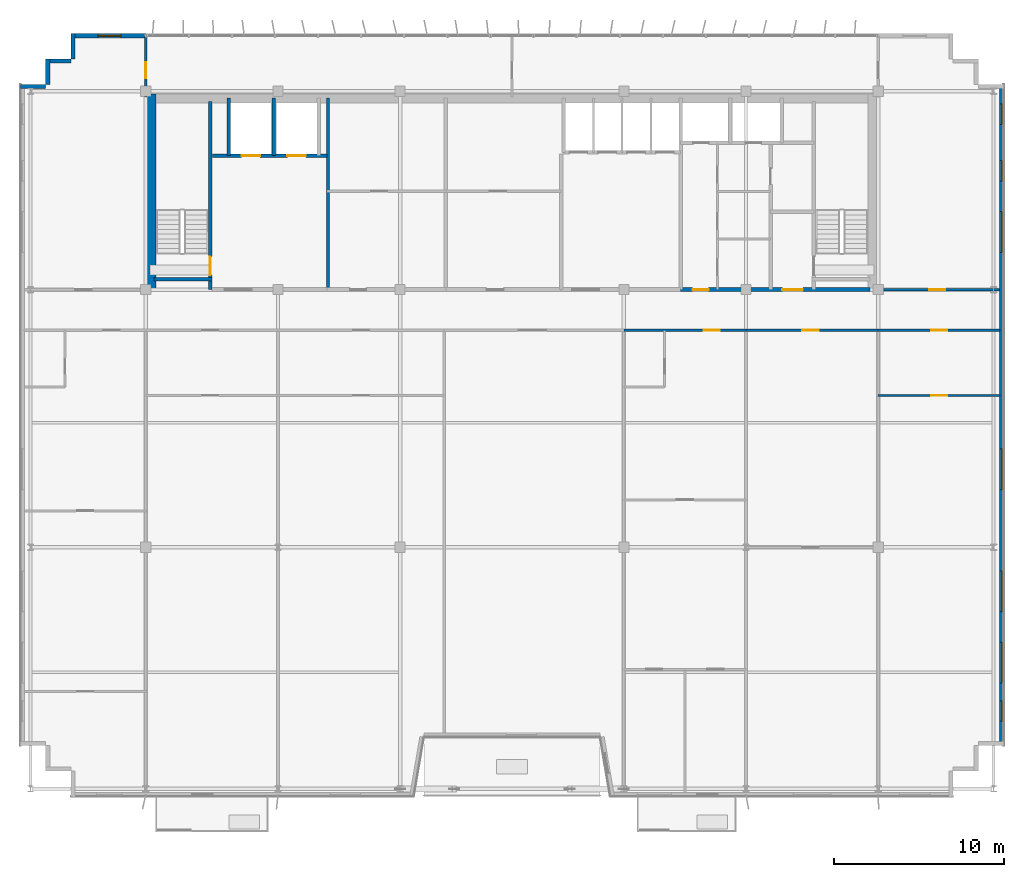
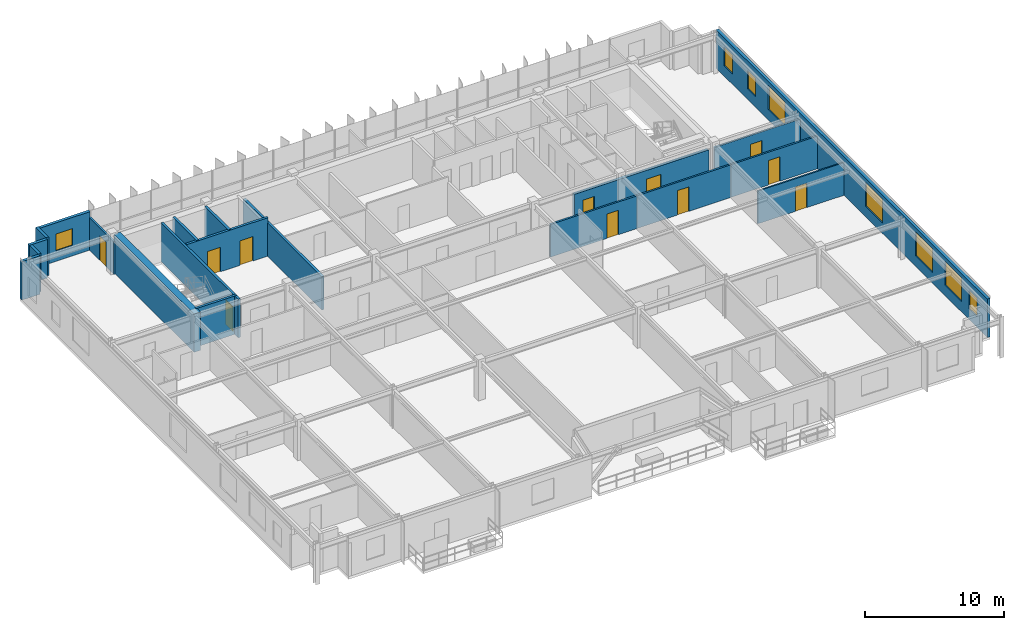
# One storey, part 18 of 22: 20 walls, 11 doors, 8 windows, 19 openings.
"""IFC4 building model written with IfcOpenShell, lengths in metres."""

from ifc_helpers import new_model, si_unit, direction, frame, frame_2d, origin, place, context, subcontext, project, spatial, rectangle, extrude, source, transform, mapped, material, layer, layer_set, type_object, element, fill, save


model = new_model("IFC4")

# Units and contexts
model_context = context("Model", 3, precision=1e-05, world=origin(), true_north=direction((0.0, 1.0)))
body_context = subcontext(model_context, "Body", "Model", "MODEL_VIEW")
ifc_project = project(units=[si_unit("LENGTHUNIT", "METRE"), si_unit("AREAUNIT", "SQUARE_METRE"), si_unit("VOLUMEUNIT", "CUBIC_METRE"), si_unit("PLANEANGLEUNIT", "RADIAN"), si_unit("MASSUNIT", "GRAM", prefix="KILO")], contexts=[model_context])

# Site, building, storey
site_placement = place(None, origin())
site = spatial("IfcSite", under=ifc_project, at=site_placement, CompositionType="ELEMENT")
building_placement = place(site_placement, origin())
building = spatial("IfcBuilding", under=site, at=building_placement, Name="Trelvane Seafront Commons", CompositionType="ELEMENT")
storey_placement = place(building_placement, frame((0.0, 0.0, 288.300048828125)))
storey = spatial("IfcBuildingStorey", under=building, at=storey_placement, Name="L75", CompositionType="ELEMENT", Elevation=288.300048828125)

# Wall, opening, window
ifc_material_1 = material(Name="Precast concrete C40/50", Category="concrete")
ifc_layer_1 = layer(ifc_material_1, 0.239990234375, Name="ARCH-WALL-EXT240")
ifc_layer_set_1 = layer_set([ifc_layer_1], Name="Precast concrete C40/50")
wall_type_1 = type_object("IfcWallType", Name="ARCH-WALL-EXT240", PredefinedType="SOLIDWALL", material=ifc_layer_set_1)
wall_1_placement = place(storey_placement, frame((11.300048828125, 48.3701171875, 0.0), z_axis=(0.0, 0.0, 1.0), x_axis=(1.0, 0.0, 0.0)))
wall_1 = element("IfcWall", 1, at=wall_1_placement, inside=storey, type_object=wall_type_1, Name="EW-L75-NW-1508", PredefinedType="SOLIDWALL", context=body_context, shape_type="SweptSolid", body=[
    extrude(rectangle(XDim=4.300048828125, YDim=0.239990234375, at=frame_2d((2.14990234375, 0.0))), origin(), (0.0, 0.0, 1.0), 3.369873046875),
])
opening_1_placement = place(wall_1_placement, frame((1.47509765625, 0.0, 0.89990234375)))
opening_1 = element("IfcOpeningElement", 2, at=opening_1_placement, cuts=wall_1, Name="Opening W09", PredefinedType="OPENING", context=body_context, shape_type="SweptSolid", body=[
    extrude(rectangle(XDim=1.35009765625, YDim=1.5, at=frame_2d((0.675048828125, 0.75))), frame((0.0, 0.1298828125, 0.0), z_axis=(0.0, -1.0, 0.0), x_axis=(1.0, 0.0, 0.0)), (0.0, 0.0, 1.0), 0.260009765625),
])
ifc_material_2 = material(Name="Low-E coastal double glazing", Category="glass")
window_type_1 = type_object("IfcWindowType", Name="ARCH-WIN-W09", PartitioningType="SINGLE_PANEL", PredefinedType="WINDOW", material=ifc_material_2)
shared_shape_1 = source(origin(), body_context, "Body", "SweptSolid", [
    extrude(rectangle(XDim=1.35009765625, YDim=1.5, at=frame_2d((0.675048828125, 0.75))), frame((0.0, 0.030029296875, 0.0), z_axis=(0.0, -1.0, 0.0), x_axis=(1.0, 0.0, 0.0)), (0.0, 0.0, 1.0), 0.06005859375),
])
window_1_placement = place(opening_1_placement, origin())
window_1 = element("IfcWindow", 3, at=window_1_placement, inside=storey, type_object=window_type_1, Name="WIN-L75-01795", OverallHeight=1.5, OverallWidth=1.35009765625, PartitioningType="SINGLE_PANEL", PredefinedType="WINDOW", context=body_context, shape_type="MappedRepresentation", body=[
    mapped(shared_shape_1, transform((0.0, 0.0, 0.0), x_axis=(1.0, 0.0, 0.0), y_axis=(0.0, 1.0, 0.0), z_axis=(0.0, 0.0, 1.0), scale=1.0)),
])
fill(opening_1, window_1)

# Walls
for number, where, z_axis, x_axis, name in (
    (4, (8.199951171875, 45.3798828125, 0.0), (0.0, 0.0, 1.0), (1.0, 0.0, 0.0), "EW-L75-01514"),
    (5, (9.820068359375, 45.5, 0.0), (0.0, 0.0, 1.0), (0.0, 1.0, 0.0), "EW-L75-01515"),
    (6, (9.699951171875, 46.8798828125, 0.0), (0.0, 0.0, 1.0), (1.0, 0.0, 0.0), "EW-L75-01516"),
    (7, (11.320068359375, 47.0, 0.0), (0.0, 0.0, 1.0), (0.0, 1.0, 0.0), "EW-L75-01517"),
):
    element("IfcWall", number, at=place(storey_placement, frame(where, z_axis=z_axis, x_axis=x_axis)), inside=storey, type_object=wall_type_1, Name=name, PredefinedType="SOLIDWALL", context=body_context, shape_type="SweptSolid", body=[
        extrude(rectangle(XDim=1.5, YDim=0.239990234375, at=frame_2d((0.75, 0.0))), origin(), (0.0, 0.0, 1.0), 3.369873046875),
    ])

# Wall, openings, windows
wall_2_placement = place(storey_placement, frame((66.080078125, 45.5, 0.0), z_axis=(0.0, 0.0, 1.0), x_axis=(0.0, -1.0, 0.0)))
wall_2 = element("IfcWall", 8, at=wall_2_placement, inside=storey, type_object=wall_type_1, Name="EW-L75-01522", PredefinedType="SOLIDWALL", context=body_context, shape_type="SweptSolid", body=[
    extrude(rectangle(XDim=39.0, YDim=0.239990234375, at=frame_2d((19.5, 0.0))), origin(), (0.0, 0.0, 1.0), 3.369873046875),
])
opening_2_placement = place(wall_2_placement, frame((36.35009765625, 0.0, 0.919921875)))
opening_2 = element("IfcOpeningElement", 9, at=opening_2_placement, cuts=wall_2, Name="Opening W05", PredefinedType="OPENING", context=body_context, shape_type="SweptSolid", body=[
    extrude(rectangle(XDim=1.199951171875, YDim=1.64990234375, at=frame_2d((0.60009765625, 0.824951171875))), frame((0.0, 0.1298828125, 0.0), z_axis=(0.0, -1.0, 0.0), x_axis=(1.0, 0.0, 0.0)), (0.0, 0.0, 1.0), 0.260009765625),
])
opening_3_placement = place(wall_2_placement, frame((32.89990234375, 0.0, 0.919921875)))
opening_3 = element("IfcOpeningElement", 10, at=opening_3_placement, cuts=wall_2, Name="Opening W08", PredefinedType="OPENING", context=body_context, shape_type="SweptSolid", body=[
    extrude(rectangle(XDim=2.39990234375, YDim=2.10009765625, at=frame_2d((1.199951171875, 1.050048828125))), frame((0.0, 0.1298828125, 0.0), z_axis=(0.0, -1.0, 0.0), x_axis=(1.0, 0.0, 0.0)), (0.0, 0.0, 1.0), 0.260009765625),
])
opening_4_placement = place(wall_2_placement, frame((28.699951171875, 0.0, 0.919921875)))
opening_4 = element("IfcOpeningElement", 11, at=opening_4_placement, cuts=wall_2, Name="Opening W08", PredefinedType="OPENING", context=body_context, shape_type="SweptSolid", body=[
    extrude(rectangle(XDim=2.39990234375, YDim=2.10009765625, at=frame_2d((1.199951171875, 1.050048828125))), frame((0.0, 0.1298828125, 0.0), z_axis=(0.0, -1.0, 0.0), x_axis=(1.0, 0.0, 0.0)), (0.0, 0.0, 1.0), 0.260009765625),
])
opening_5_placement = place(wall_2_placement, frame((21.5, 0.0, 0.919921875)))
opening_5 = element("IfcOpeningElement", 12, at=opening_5_placement, cuts=wall_2, Name="Opening W08", PredefinedType="OPENING", context=body_context, shape_type="SweptSolid", body=[
    extrude(rectangle(XDim=2.39990234375, YDim=2.10009765625, at=frame_2d((1.199951171875, 1.050048828125))), frame((0.0, 0.1298828125, 0.0), z_axis=(0.0, -1.0, 0.0), x_axis=(1.0, 0.0, 0.0)), (0.0, 0.0, 1.0), 0.260009765625),
])
opening_6_placement = place(wall_2_placement, frame((7.5, 0.0, 0.919921875)))
opening_6 = element("IfcOpeningElement", 13, at=opening_6_placement, cuts=wall_2, Name="Opening W08", PredefinedType="OPENING", context=body_context, shape_type="SweptSolid", body=[
    extrude(rectangle(XDim=2.39990234375, YDim=2.10009765625, at=frame_2d((1.199951171875, 1.050048828125))), frame((0.0, 0.1298828125, 0.0), z_axis=(0.0, -1.0, 0.0), x_axis=(1.0, 0.0, 0.0)), (0.0, 0.0, 1.0), 0.260009765625),
])
opening_7_placement = place(wall_2_placement, frame((4.5, 0.0, 0.919921875)))
opening_7 = element("IfcOpeningElement", 14, at=opening_7_placement, cuts=wall_2, Name="Opening W05", PredefinedType="OPENING", context=body_context, shape_type="SweptSolid", body=[
    extrude(rectangle(XDim=1.199951171875, YDim=1.64990234375, at=frame_2d((0.60009765625, 0.824951171875))), frame((0.0, 0.1298828125, 0.0), z_axis=(0.0, -1.0, 0.0), x_axis=(1.0, 0.0, 0.0)), (0.0, 0.0, 1.0), 0.260009765625),
])
opening_8_placement = place(wall_2_placement, frame((1.14990234375, 0.0, 0.919921875)))
opening_8 = element("IfcOpeningElement", 15, at=opening_8_placement, cuts=wall_2, Name="Opening W05", PredefinedType="OPENING", context=body_context, shape_type="SweptSolid", body=[
    extrude(rectangle(XDim=1.199951171875, YDim=1.64990234375, at=frame_2d((0.60009765625, 0.824951171875))), frame((0.0, 0.1298828125, 0.0), z_axis=(0.0, -1.0, 0.0), x_axis=(1.0, 0.0, 0.0)), (0.0, 0.0, 1.0), 0.260009765625),
])
window_type_2 = type_object("IfcWindowType", Name="ARCH-WIN-W08", PartitioningType="SINGLE_PANEL", PredefinedType="WINDOW", material=ifc_material_2)
shared_shape_2 = source(origin(), body_context, "Body", "SweptSolid", [
    extrude(rectangle(XDim=2.39990234375, YDim=2.10009765625, at=frame_2d((1.199951171875, 1.050048828125))), frame((0.0, 0.030029296875, 0.0), z_axis=(0.0, -1.0, 0.0), x_axis=(1.0, 0.0, 0.0)), (0.0, 0.0, 1.0), 0.06005859375),
])
window_2_placement = place(opening_3_placement, origin())
window_2 = element("IfcWindow", 16, at=window_2_placement, inside=storey, type_object=window_type_2, Name="WIN-L75-EW-01805", OverallHeight=2.10009765625, OverallWidth=2.39990234375, PartitioningType="SINGLE_PANEL", PredefinedType="WINDOW", context=body_context, shape_type="MappedRepresentation", body=[
    mapped(shared_shape_2, transform((0.0, 0.0, 0.0), x_axis=(1.0, 0.0, 0.0), y_axis=(0.0, 1.0, 0.0), z_axis=(0.0, 0.0, 1.0), scale=1.0)),
])
fill(opening_3, window_2)
window_3_placement = place(opening_4_placement, origin())
window_3 = element("IfcWindow", 17, at=window_3_placement, inside=storey, type_object=window_type_2, Name="WIN-L75-EW-01806", OverallHeight=2.10009765625, OverallWidth=2.39990234375, PartitioningType="SINGLE_PANEL", PredefinedType="WINDOW", context=body_context, shape_type="MappedRepresentation", body=[
    mapped(shared_shape_2, transform((0.0, 0.0, 0.0), x_axis=(1.0, 0.0, 0.0), y_axis=(0.0, 1.0, 0.0), z_axis=(0.0, 0.0, 1.0), scale=1.0)),
])
fill(opening_4, window_3)
window_4_placement = place(opening_5_placement, origin())
window_4 = element("IfcWindow", 18, at=window_4_placement, inside=storey, type_object=window_type_2, Name="WIN-L75-EW-01807", OverallHeight=2.10009765625, OverallWidth=2.39990234375, PartitioningType="SINGLE_PANEL", PredefinedType="WINDOW", context=body_context, shape_type="MappedRepresentation", body=[
    mapped(shared_shape_2, transform((0.0, 0.0, 0.0), x_axis=(1.0, 0.0, 0.0), y_axis=(0.0, 1.0, 0.0), z_axis=(0.0, 0.0, 1.0), scale=1.0)),
])
fill(opening_5, window_4)
window_5_placement = place(opening_6_placement, origin())
window_5 = element("IfcWindow", 19, at=window_5_placement, inside=storey, type_object=window_type_2, Name="WIN-L75-EW-01808", OverallHeight=2.10009765625, OverallWidth=2.39990234375, PartitioningType="SINGLE_PANEL", PredefinedType="WINDOW", context=body_context, shape_type="MappedRepresentation", body=[
    mapped(shared_shape_2, transform((0.0, 0.0, 0.0), x_axis=(1.0, 0.0, 0.0), y_axis=(0.0, 1.0, 0.0), z_axis=(0.0, 0.0, 1.0), scale=1.0)),
])
fill(opening_6, window_5)
window_type_3 = type_object("IfcWindowType", Name="ARCH-WIN-W05", PartitioningType="SINGLE_PANEL", PredefinedType="WINDOW", material=ifc_material_2)
shared_shape_3 = source(origin(), body_context, "Body", "SweptSolid", [
    extrude(rectangle(XDim=1.199951171875, YDim=1.64990234375, at=frame_2d((0.60009765625, 0.824951171875))), frame((0.0, 0.030029296875, 0.0), z_axis=(0.0, -1.0, 0.0), x_axis=(1.0, 0.0, 0.0)), (0.0, 0.0, 1.0), 0.06005859375),
])
window_6_placement = place(opening_2_placement, origin())
window_6 = element("IfcWindow", 20, at=window_6_placement, inside=storey, type_object=window_type_3, Name="WIN-L75-EW-01804", OverallHeight=1.64990234375, OverallWidth=1.199951171875, PartitioningType="SINGLE_PANEL", PredefinedType="WINDOW", context=body_context, shape_type="MappedRepresentation", body=[
    mapped(shared_shape_3, transform((0.0, 0.0, 0.0), x_axis=(1.0, 0.0, 0.0), y_axis=(0.0, 1.0, 0.0), z_axis=(0.0, 0.0, 1.0), scale=1.0)),
])
fill(opening_2, window_6)
window_7_placement = place(opening_7_placement, origin())
window_7 = element("IfcWindow", 21, at=window_7_placement, inside=storey, type_object=window_type_3, Name="WIN-L75-EW-01809", OverallHeight=1.64990234375, OverallWidth=1.199951171875, PartitioningType="SINGLE_PANEL", PredefinedType="WINDOW", context=body_context, shape_type="MappedRepresentation", body=[
    mapped(shared_shape_3, transform((0.0, 0.0, 0.0), x_axis=(1.0, 0.0, 0.0), y_axis=(0.0, 1.0, 0.0), z_axis=(0.0, 0.0, 1.0), scale=1.0)),
])
fill(opening_7, window_7)
window_8_placement = place(opening_8_placement, origin())
window_8 = element("IfcWindow", 22, at=window_8_placement, inside=storey, type_object=window_type_3, Name="WIN-L75-EW-01810", OverallHeight=1.64990234375, OverallWidth=1.199951171875, PartitioningType="SINGLE_PANEL", PredefinedType="WINDOW", context=body_context, shape_type="MappedRepresentation", body=[
    mapped(shared_shape_3, transform((0.0, 0.0, 0.0), x_axis=(1.0, 0.0, 0.0), y_axis=(0.0, 1.0, 0.0), z_axis=(0.0, 0.0, 1.0), scale=1.0)),
])
fill(opening_8, window_8)

# Wall, openings, doors
ifc_material_3 = material(Name="Concrete C40/50", Category="concrete")
ifc_layer_2 = layer(ifc_material_3, 0.25, Name="ARCH-WALL-FIRE250")
ifc_layer_set_2 = layer_set([ifc_layer_2], Name="Concrete C40/50")
wall_type_2 = type_object("IfcWallType", Name="ARCH-WALL-FIRE250", PredefinedType="PARTITIONING", material=ifc_layer_set_2)
wall_3_placement = place(storey_placement, frame((47.14990234375, 33.39990234375, 0.0), z_axis=(0.0, 0.0, 1.0), x_axis=(1.0, 0.0, 0.0)))
wall_3 = element("IfcWall", 23, at=wall_3_placement, inside=storey, type_object=wall_type_2, Name="W-L75-CS-EAST-035", PredefinedType="PARTITIONING", context=body_context, shape_type="SweptSolid", body=[
    extrude(rectangle(XDim=11.150146484375, YDim=0.25, at=frame_2d((5.5751953125, 0.0))), origin(), (0.0, 0.0, 1.0), 2.919921875),
])
opening_9_placement = place(wall_3_placement, frame((0.699951171875, 0.0, 0.0)))
opening_9 = element("IfcOpeningElement", 24, at=opening_9_placement, cuts=wall_3, Name="Opening FD-L75-21", PredefinedType="OPENING", context=body_context, shape_type="SweptSolid", body=[
    extrude(rectangle(XDim=0.949951171875, YDim=2.14990234375, at=frame_2d((0.47509765625, 1.074951171875))), frame((0.0, 0.135009765625, 0.0), z_axis=(0.0, -1.0, 0.0), x_axis=(1.0, 0.0, 0.0)), (0.0, 0.0, 1.0), 0.27001953125),
])
opening_10_placement = place(wall_3_placement, frame((6.0, 0.0, 0.0)))
opening_10 = element("IfcOpeningElement", 25, at=opening_10_placement, cuts=wall_3, Name="Opening FD-L75-22", PredefinedType="OPENING", context=body_context, shape_type="SweptSolid", body=[
    extrude(rectangle(XDim=1.199951171875, YDim=2.14990234375, at=frame_2d((0.60009765625, 1.074951171875))), frame((0.0, 0.135009765625, 0.0), z_axis=(0.0, -1.0, 0.0), x_axis=(1.0, 0.0, 0.0)), (0.0, 0.0, 1.0), 0.27001953125),
])
ifc_material_4 = material(Name="Powder-coated aluminium frame", Category="aluminium")
door_type_1 = type_object("IfcDoorType", Name="ARCH-DR-FD60-950", OperationType="NOTDEFINED", PredefinedType="DOOR", material=ifc_material_4)
shared_shape_4 = source(origin(), body_context, "Body", "SweptSolid", [
    extrude(rectangle(XDim=0.949951171875, YDim=2.14990234375, at=frame_2d((0.47509765625, 1.074951171875))), frame((0.0, 0.02490234375, 0.0), z_axis=(0.0, -1.0, 0.0), x_axis=(1.0, 0.0, 0.0)), (0.0, 0.0, 1.0), 0.050048828125),
])
door_1_placement = place(opening_9_placement, origin())
door_1 = element("IfcDoor", 26, at=door_1_placement, inside=storey, type_object=door_type_1, Name="L75 Core Service Lobby Door", OperationType="SINGLE_SWING_LEFT", OverallHeight=2.14990234375, OverallWidth=0.949951171875, PredefinedType="DOOR", context=body_context, shape_type="MappedRepresentation", body=[
    mapped(shared_shape_4, transform((0.0, 0.0, 0.0), x_axis=(1.0, 0.0, 0.0), y_axis=(0.0, 1.0, 0.0), z_axis=(0.0, 0.0, 1.0), scale=1.0)),
])
fill(opening_9, door_1)
door_type_2 = type_object("IfcDoorType", Name="ARCH-DR-FD60-1200", OperationType="NOTDEFINED", PredefinedType="DOOR", material=ifc_material_4)
shared_shape_5 = source(origin(), body_context, "Body", "SweptSolid", [
    extrude(rectangle(XDim=1.199951171875, YDim=2.14990234375, at=frame_2d((0.60009765625, 1.074951171875))), frame((0.0, 0.02490234375, 0.0), z_axis=(0.0, -1.0, 0.0), x_axis=(1.0, 0.0, 0.0)), (0.0, 0.0, 1.0), 0.050048828125),
])
door_2_placement = place(opening_10_placement, origin())
door_2 = element("IfcDoor", 27, at=door_2_placement, inside=storey, type_object=door_type_2, Name="L75 East Stair Vestibule Fire Door", OperationType="SINGLE_SWING_RIGHT", OverallHeight=2.14990234375, OverallWidth=1.199951171875, PredefinedType="DOOR", context=body_context, shape_type="MappedRepresentation", body=[
    mapped(shared_shape_5, transform((0.0, 0.0, 0.0), x_axis=(1.0, 0.0, 0.0), y_axis=(0.0, 1.0, 0.0), z_axis=(0.0, 0.0, 1.0), scale=1.0)),
])
fill(opening_10, door_2)

# Wall, opening, door
ifc_material_5 = material(Name="Gypsum Drywall Acoustic Partition")
ifc_layer_3 = layer(ifc_material_5, 0.1201171875, Name="ARCH-WALL-PART120")
ifc_layer_set_3 = layer_set([ifc_layer_3], Name="Gypsum Drywall Acoustic Partition")
wall_type_3 = type_object("IfcWallType", Name="ARCH-WALL-PART120", PredefinedType="PARTITIONING", material=ifc_layer_set_3)
wall_4_placement = place(storey_placement, frame((58.800048828125, 27.14990234375, 0.0), z_axis=(0.0, 0.0, 1.0), x_axis=(1.0, 0.0, 0.0)))
wall_4 = element("IfcWall", 28, at=wall_4_placement, inside=storey, type_object=wall_type_3, Name="W-L75-U7-DIV-067", PredefinedType="PARTITIONING", context=body_context, shape_type="SweptSolid", body=[
    extrude(rectangle(XDim=7.175048828125, YDim=0.1201171875, at=frame_2d((3.58740234375, 0.0))), origin(), (0.0, 0.0, 1.0), 2.869873046875),
])
opening_11_placement = place(wall_4_placement, frame((3.112060546875, 0.0, 0.0)))
opening_11 = element("IfcOpeningElement", 29, at=opening_11_placement, cuts=wall_4, Name="Opening D-L75-45", PredefinedType="OPENING", context=body_context, shape_type="SweptSolid", body=[
    extrude(rectangle(XDim=0.949951171875, YDim=2.14990234375, at=frame_2d((0.47509765625, 1.074951171875))), frame((0.0, 0.070068359375, 0.0), z_axis=(0.0, -1.0, 0.0), x_axis=(1.0, 0.0, 0.0)), (0.0, 0.0, 1.0), 0.14013671875),
])
ifc_material_6 = material(Name="Acoustic timber door leaf", Category="wood")
door_type_3 = type_object("IfcDoorType", Name="ARCH-DR-INT950", OperationType="NOTDEFINED", PredefinedType="DOOR", material=ifc_material_6)
door_3_placement = place(opening_11_placement, origin())
door_3 = element("IfcDoor", 30, at=door_3_placement, inside=storey, type_object=door_type_3, Name="L75 Door 45", OperationType="SINGLE_SWING_LEFT", OverallHeight=2.14990234375, OverallWidth=0.949951171875, PredefinedType="DOOR", context=body_context, shape_type="MappedRepresentation", body=[
    mapped(shared_shape_4, transform((0.0, 0.0, 0.0), x_axis=(1.0, 0.0, 0.0), y_axis=(0.0, 1.0, 0.0), z_axis=(0.0, 0.0, 1.0), scale=1.0)),
])
fill(opening_11, door_3)

ifc_layer_4 = layer(ifc_material_5, 0.14990234375, Name="ARCH-WALL-PART150")
ifc_layer_set_4 = layer_set([ifc_layer_4], Name="Gypsum Drywall Acoustic Partition")
wall_type_4 = type_object("IfcWallType", Name="ARCH-WALL-PART150", PredefinedType="PARTITIONING", material=ifc_layer_set_4)
wall_5_placement = place(storey_placement, frame((58.800048828125, 33.39990234375, 0.0), z_axis=(0.0, 0.0, 1.0), x_axis=(1.0, 0.0, 0.0)))
wall_5 = element("IfcWall", 31, at=wall_5_placement, inside=storey, type_object=wall_type_4, Name="W-L75-NE-ENT-037", PredefinedType="PARTITIONING", context=body_context, shape_type="SweptSolid", body=[
    extrude(rectangle(XDim=7.14990234375, YDim=0.14990234375, at=frame_2d((3.574951171875, 0.0))), origin(), (0.0, 0.0, 1.0), 2.919921875),
])
opening_12_placement = place(wall_5_placement, frame((3.0, 0.0, 0.0)))
opening_12 = element("IfcOpeningElement", 32, at=opening_12_placement, cuts=wall_5, Name="Opening FD-L75-24", PredefinedType="OPENING", context=body_context, shape_type="SweptSolid", body=[
    extrude(rectangle(XDim=0.949951171875, YDim=2.14990234375, at=frame_2d((0.47509765625, 1.074951171875))), frame((0.0, 0.0849609375, 0.0), z_axis=(0.0, -1.0, 0.0), x_axis=(1.0, 0.0, 0.0)), (0.0, 0.0, 1.0), 0.169921875),
])
door_4_placement = place(opening_12_placement, origin())
door_4 = element("IfcDoor", 33, at=door_4_placement, inside=storey, type_object=door_type_1, Name="L75 NE Suite Entrance Door", OperationType="SINGLE_SWING_RIGHT", OverallHeight=2.14990234375, OverallWidth=0.949951171875, PredefinedType="DOOR", context=body_context, shape_type="MappedRepresentation", body=[
    mapped(shared_shape_4, transform((0.0, 0.0, 0.0), x_axis=(1.0, 0.0, 0.0), y_axis=(0.0, 1.0, 0.0), z_axis=(0.0, 0.0, 1.0), scale=1.0)),
])
fill(opening_12, door_4)

wall_6_placement = place(storey_placement, frame((15.60009765625, 44.75, 0.0), z_axis=(0.0, 0.0, 1.0), x_axis=(0.0, 1.0, 0.0)))
wall_6 = element("IfcWall", 34, at=wall_6_placement, inside=storey, type_object=wall_type_4, Name="W-L75-N-LINK-W-039", PredefinedType="PARTITIONING", context=body_context, shape_type="SweptSolid", body=[
    extrude(rectangle(XDim=3.610107421875, YDim=0.14990234375, at=frame_2d((1.80517578125, 0.0))), origin(), (0.0, 0.0, 1.0), 2.869873046875),
])
opening_13_placement = place(wall_6_placement, frame((1.10009765625, 0.0, 0.0)))
opening_13 = element("IfcOpeningElement", 35, at=opening_13_placement, cuts=wall_6, Name="Opening FD-L75-26", PredefinedType="OPENING", context=body_context, shape_type="SweptSolid", body=[
    extrude(rectangle(XDim=0.949951171875, YDim=2.14990234375, at=frame_2d((0.47509765625, 1.074951171875))), frame((0.0, 0.0849609375, 0.0), z_axis=(0.0, -1.0, 0.0), x_axis=(1.0, 0.0, 0.0)), (0.0, 0.0, 1.0), 0.169921875),
])
door_5_placement = place(opening_13_placement, origin())
door_5 = element("IfcDoor", 36, at=door_5_placement, inside=storey, type_object=door_type_1, Name="L75 Door 26", OperationType="SINGLE_SWING_RIGHT", OverallHeight=2.14990234375, OverallWidth=0.949951171875, PredefinedType="DOOR", context=body_context, shape_type="MappedRepresentation", body=[
    mapped(shared_shape_4, transform((0.0, 0.0, 0.0), x_axis=(1.0, 0.0, 0.0), y_axis=(0.0, 1.0, 0.0), z_axis=(0.0, 0.0, 1.0), scale=1.0)),
])
fill(opening_13, door_5)

wall_7_placement = place(storey_placement, frame((43.800048828125, 31.0, 0.0), z_axis=(0.0, 0.0, 1.0), x_axis=(1.0, 0.0, 0.0)))
wall_7 = element("IfcWall", 37, at=wall_7_placement, inside=storey, type_object=wall_type_4, Name="W-L75-CS-BAY-5-060", PredefinedType="PARTITIONING", context=body_context, shape_type="SweptSolid", body=[
    extrude(rectangle(XDim=7.199951171875, YDim=0.14990234375, at=frame_2d((3.60009765625, 0.0))), origin(), (0.0, 0.0, 1.0), 2.869873046875),
])
opening_14_placement = place(wall_7_placement, frame((4.7060546875, 0.0, 0.0)))
opening_14 = element("IfcOpeningElement", 38, at=opening_14_placement, cuts=wall_7, Name="Opening FD-L75-39", PredefinedType="OPENING", context=body_context, shape_type="SweptSolid", body=[
    extrude(rectangle(XDim=0.949951171875, YDim=2.14990234375, at=frame_2d((0.47509765625, 1.074951171875))), frame((0.0, 0.0849609375, 0.0), z_axis=(0.0, -1.0, 0.0), x_axis=(1.0, 0.0, 0.0)), (0.0, 0.0, 1.0), 0.169921875),
])
door_6_placement = place(opening_14_placement, origin())
door_6 = element("IfcDoor", 39, at=door_6_placement, inside=storey, type_object=door_type_1, Name="L75 Unit 05 Entrance Door", OperationType="SINGLE_SWING_LEFT", OverallHeight=2.14990234375, OverallWidth=0.949951171875, PredefinedType="DOOR", context=body_context, shape_type="MappedRepresentation", body=[
    mapped(shared_shape_4, transform((0.0, 0.0, 0.0), x_axis=(1.0, 0.0, 0.0), y_axis=(0.0, 1.0, 0.0), z_axis=(0.0, 0.0, 1.0), scale=1.0)),
])
fill(opening_14, door_6)

wall_8_placement = place(storey_placement, frame((51.0, 31.0, 0.0), z_axis=(0.0, 0.0, 1.0), x_axis=(1.0, 0.0, 0.0)))
wall_8 = element("IfcWall", 40, at=wall_8_placement, inside=storey, type_object=wall_type_4, Name="W-L75-CS-BAY-6-064", PredefinedType="PARTITIONING", context=body_context, shape_type="SweptSolid", body=[
    extrude(rectangle(XDim=7.800048828125, YDim=0.14990234375, at=frame_2d((3.89990234375, 0.0))), origin(), (0.0, 0.0, 1.0), 2.869873046875),
])
opening_15_placement = place(wall_8_placement, frame((3.3330078125, 0.0, 0.0)))
opening_15 = element("IfcOpeningElement", 41, at=opening_15_placement, cuts=wall_8, Name="Opening FD-L75-42", PredefinedType="OPENING", context=body_context, shape_type="SweptSolid", body=[
    extrude(rectangle(XDim=0.949951171875, YDim=2.14990234375, at=frame_2d((0.47509765625, 1.074951171875))), frame((0.0, 0.0849609375, 0.0), z_axis=(0.0, -1.0, 0.0), x_axis=(1.0, 0.0, 0.0)), (0.0, 0.0, 1.0), 0.169921875),
])
door_7_placement = place(opening_15_placement, origin())
door_7 = element("IfcDoor", 42, at=door_7_placement, inside=storey, type_object=door_type_1, Name="L75 Bay 06 Entrance Door", OperationType="SINGLE_SWING_RIGHT", OverallHeight=2.14990234375, OverallWidth=0.949951171875, PredefinedType="DOOR", context=body_context, shape_type="MappedRepresentation", body=[
    mapped(shared_shape_4, transform((0.0, 0.0, 0.0), x_axis=(1.0, 0.0, 0.0), y_axis=(0.0, 1.0, 0.0), z_axis=(0.0, 0.0, 1.0), scale=1.0)),
])
fill(opening_15, door_7)

wall_9_placement = place(storey_placement, frame((58.800048828125, 31.0, 0.0), z_axis=(0.0, 0.0, 1.0), x_axis=(1.0, 0.0, 0.0)))
wall_9 = element("IfcWall", 43, at=wall_9_placement, inside=storey, type_object=wall_type_4, Name="W-L75-CS-BAY-7-066", PredefinedType="PARTITIONING", context=body_context, shape_type="SweptSolid", body=[
    extrude(rectangle(XDim=7.175048828125, YDim=0.14990234375, at=frame_2d((3.58740234375, 0.0))), origin(), (0.0, 0.0, 1.0), 2.869873046875),
])
opening_16_placement = place(wall_9_placement, frame((3.112060546875, 0.0, 0.0)))
opening_16 = element("IfcOpeningElement", 44, at=opening_16_placement, cuts=wall_9, Name="Opening FD-L75-44", PredefinedType="OPENING", context=body_context, shape_type="SweptSolid", body=[
    extrude(rectangle(XDim=0.949951171875, YDim=2.14990234375, at=frame_2d((0.47509765625, 1.074951171875))), frame((0.0, 0.0849609375, 0.0), z_axis=(0.0, -1.0, 0.0), x_axis=(1.0, 0.0, 0.0)), (0.0, 0.0, 1.0), 0.169921875),
])
door_8_placement = place(opening_16_placement, origin())
door_8 = element("IfcDoor", 45, at=door_8_placement, inside=storey, type_object=door_type_1, Name="L75 Bay 07 Entrance Door", OperationType="SINGLE_SWING_RIGHT", OverallHeight=2.14990234375, OverallWidth=0.949951171875, PredefinedType="DOOR", context=body_context, shape_type="MappedRepresentation", body=[
    mapped(shared_shape_4, transform((0.0, 0.0, 0.0), x_axis=(1.0, 0.0, 0.0), y_axis=(0.0, 1.0, 0.0), z_axis=(0.0, 0.0, 1.0), scale=1.0)),
])
fill(opening_16, door_8)

# Wall, openings, doors
ifc_layer_5 = layer(ifc_material_3, 0.199951171875, Name="ARCH-WALL-SHAFT200")
ifc_layer_set_5 = layer_set([ifc_layer_5], Name="Concrete C40/50")
wall_type_5 = type_object("IfcWallType", Name="ARCH-WALL-SHAFT200", PredefinedType="SOLIDWALL", material=ifc_layer_set_5)
wall_10_placement = place(storey_placement, frame((19.550048828125, 41.300048828125, 0.0), z_axis=(0.0, 0.0, 1.0), x_axis=(1.0, 0.0, 0.0)))
wall_10 = element("IfcWall", 46, at=wall_10_placement, inside=storey, type_object=wall_type_5, Name="W-L75-FFL-FRONT-008", PredefinedType="SOLIDWALL", context=body_context, shape_type="SweptSolid", body=[
    extrude(rectangle(XDim=6.75, YDim=0.199951171875, at=frame_2d((3.375, 0.0))), origin(), (0.0, 0.0, 1.0), 3.369873046875),
])
opening_17_placement = place(wall_10_placement, frame((1.699951171875, 0.0, 0.0)))
opening_17 = element("IfcOpeningElement", 47, at=opening_17_placement, cuts=wall_10, Name="Opening LD-FF1-L75", PredefinedType="OPENING", context=body_context, shape_type="SweptSolid", body=[
    extrude(rectangle(XDim=1.10009765625, YDim=2.14990234375, at=frame_2d((0.550048828125, 1.074951171875))), frame((0.0, 0.10986328125, 0.0), z_axis=(0.0, -1.0, 0.0), x_axis=(1.0, 0.0, 0.0)), (0.0, 0.0, 1.0), 0.219970703125),
])
opening_18_placement = place(wall_10_placement, frame((4.39990234375, 0.0, 0.0)))
opening_18 = element("IfcOpeningElement", 48, at=opening_18_placement, cuts=wall_10, Name="Opening LD-FF2-L75", PredefinedType="OPENING", context=body_context, shape_type="SweptSolid", body=[
    extrude(rectangle(XDim=1.10009765625, YDim=2.14990234375, at=frame_2d((0.550048828125, 1.074951171875))), frame((0.0, 0.10986328125, 0.0), z_axis=(0.0, -1.0, 0.0), x_axis=(1.0, 0.0, 0.0)), (0.0, 0.0, 1.0), 0.219970703125),
])
ifc_material_7 = material(Name="Stainless steel balustrade", Category="steel")
door_type_4 = type_object("IfcDoorType", Name="ARCH-DR-LD1100", OperationType="DOUBLE_DOOR_SLIDING", PredefinedType="DOOR", material=ifc_material_7)
shared_shape_6 = source(origin(), body_context, "Body", "SweptSolid", [
    extrude(rectangle(XDim=1.10009765625, YDim=2.14990234375, at=frame_2d((0.550048828125, 1.074951171875))), frame((0.0, 0.02490234375, 0.0), z_axis=(0.0, -1.0, 0.0), x_axis=(1.0, 0.0, 0.0)), (0.0, 0.0, 1.0), 0.050048828125),
])
door_9_placement = place(opening_17_placement, origin())
door_9 = element("IfcDoor", 49, at=door_9_placement, inside=storey, type_object=door_type_4, Name="L75 Firefighting Lift FFL-1 Landing Door", OperationType="DOUBLE_DOOR_SLIDING", OverallHeight=2.14990234375, OverallWidth=1.10009765625, PredefinedType="DOOR", context=body_context, shape_type="MappedRepresentation", body=[
    mapped(shared_shape_6, transform((0.0, 0.0, 0.0), x_axis=(1.0, 0.0, 0.0), y_axis=(0.0, 1.0, 0.0), z_axis=(0.0, 0.0, 1.0), scale=1.0)),
])
fill(opening_17, door_9)
door_10_placement = place(opening_18_placement, origin())
door_10 = element("IfcDoor", 50, at=door_10_placement, inside=storey, type_object=door_type_4, Name="L75 Firefighting Lift FFL-2 Landing Door", OperationType="DOUBLE_DOOR_SLIDING", OverallHeight=2.14990234375, OverallWidth=1.10009765625, PredefinedType="DOOR", context=body_context, shape_type="MappedRepresentation", body=[
    mapped(shared_shape_6, transform((0.0, 0.0, 0.0), x_axis=(1.0, 0.0, 0.0), y_axis=(0.0, 1.0, 0.0), z_axis=(0.0, 0.0, 1.0), scale=1.0)),
])
fill(opening_18, door_10)

# Walls
for number, where, z_axis, x_axis, name in (
    (51, (20.5, 41.300048828125, 0.0), (0.0, 0.0, 1.0), (0.0, 1.0, 0.0), "W-L75-FFL-SH-W-009"),
    (52, (23.14990234375, 41.300048828125, 0.0), (0.0, 0.0, 1.0), (0.0, 1.0, 0.0), "W-L75-FFL-DIV-010"),
):
    element("IfcWall", number, at=place(storey_placement, frame(where, z_axis=z_axis, x_axis=x_axis)), inside=storey, type_object=wall_type_5, Name=name, PredefinedType="SOLIDWALL", context=body_context, shape_type="SweptSolid", body=[
        extrude(rectangle(XDim=3.39990234375, YDim=0.199951171875, at=frame_2d((1.699951171875, 0.0))), origin(), (0.0, 0.0, 1.0), 3.369873046875),
    ])
wall_11_placement = place(storey_placement, frame((26.35009765625, 33.39990234375, 0.0), z_axis=(0.0, 0.0, 1.0), x_axis=(0.0, 1.0, 0.0)))
element("IfcWall", 53, at=wall_11_placement, inside=storey, type_object=wall_type_5, Name="W-L75-FFL-EAST-012", PredefinedType="SOLIDWALL", context=body_context, shape_type="SweptSolid", body=[
    extrude(rectangle(XDim=11.300048828125, YDim=0.199951171875, at=frame_2d((5.64990234375, 0.0))), origin(), (0.0, 0.0, 1.0), 2.919921875),
])
ifc_material_8 = material(Name="Concrete C50/60", Category="concrete")
ifc_layer_6 = layer(ifc_material_8, 0.550048828125, Name="STR-WALL-CORE550")
ifc_layer_set_6 = layer_set([ifc_layer_6], Name="Concrete C50/60")
wall_type_6 = type_object("IfcWallType", Name="STR-WALL-CORE550", PredefinedType="SHEAR", material=ifc_layer_set_6)
wall_12_placement = place(storey_placement, frame((15.925048828125, 33.39990234375, 0.0), z_axis=(0.0, 0.0, 1.0), x_axis=(0.0, 1.0, 0.0)))
element("IfcWall", 54, at=wall_12_placement, inside=storey, type_object=wall_type_6, Name="W-L75-CW-END-002", PredefinedType="SHEAR", context=body_context, shape_type="SweptSolid", body=[
    extrude(rectangle(XDim=11.550048828125, YDim=0.550048828125, at=frame_2d((5.77490234375, 0.0))), origin(), (0.0, 0.0, 1.0), 3.369873046875),
])
ifc_layer_7 = layer(ifc_material_8, 0.199951171875, Name="STR-WALL-STAIR200")
ifc_layer_set_7 = layer_set([ifc_layer_7], Name="Concrete C50/60")
wall_type_7 = type_object("IfcWallType", Name="STR-WALL-STAIR200", PredefinedType="SHEAR", material=ifc_layer_set_7)
wall_13_placement = place(storey_placement, frame((16.10009765625, 34.0, 0.0), z_axis=(0.0, 0.0, 1.0), x_axis=(1.0, 0.0, 0.0)))
element("IfcWall", 55, at=wall_13_placement, inside=storey, type_object=wall_type_7, Name="W-L75-ST1-S-004", PredefinedType="SHEAR", context=body_context, shape_type="SweptSolid", body=[
    extrude(rectangle(XDim=3.39990234375, YDim=0.199951171875, at=frame_2d((1.699951171875, 0.0))), origin(), (0.0, 0.0, 1.0), 3.369873046875),
])

# Wall, opening, door
wall_14_placement = place(storey_placement, frame((19.39990234375, 33.39990234375, 0.0), z_axis=(0.0, 0.0, 1.0), x_axis=(0.0, 1.0, 0.0)))
wall_14 = element("IfcWall", 56, at=wall_14_placement, inside=storey, type_object=wall_type_7, Name="W-L75-ST1-E-005", PredefinedType="SHEAR", context=body_context, shape_type="SweptSolid", body=[
    extrude(rectangle(XDim=11.10009765625, YDim=0.199951171875, at=frame_2d((5.550048828125, 0.0))), origin(), (0.0, 0.0, 1.0), 3.369873046875),
])
opening_19_placement = place(wall_14_placement, frame((0.85009765625, 0.0, 0.0)))
opening_19 = element("IfcOpeningElement", 57, at=opening_19_placement, cuts=wall_14, Name="Opening ST-D1-L75", PredefinedType="OPENING", context=body_context, shape_type="SweptSolid", body=[
    extrude(rectangle(XDim=1.10009765625, YDim=2.14990234375, at=frame_2d((0.550048828125, 1.074951171875))), frame((0.0, 0.10986328125, 0.0), z_axis=(0.0, -1.0, 0.0), x_axis=(1.0, 0.0, 0.0)), (0.0, 0.0, 1.0), 0.219970703125),
])
door_type_5 = type_object("IfcDoorType", Name="ARCH-DR-FD90-1100", OperationType="NOTDEFINED", PredefinedType="DOOR", material=ifc_material_4)
door_11_placement = place(opening_19_placement, origin())
door_11 = element("IfcDoor", 58, at=door_11_placement, inside=storey, type_object=door_type_5, Name="L75 Stair ST-1 Lobby Fire Door", OperationType="SINGLE_SWING_LEFT", OverallHeight=2.14990234375, OverallWidth=1.10009765625, PredefinedType="DOOR", context=body_context, shape_type="MappedRepresentation", body=[
    mapped(shared_shape_6, transform((0.0, 0.0, 0.0), x_axis=(1.0, 0.0, 0.0), y_axis=(0.0, 1.0, 0.0), z_axis=(0.0, 0.0, 1.0), scale=1.0)),
])
fill(opening_19, door_11)

save(model, "model.ifc")
